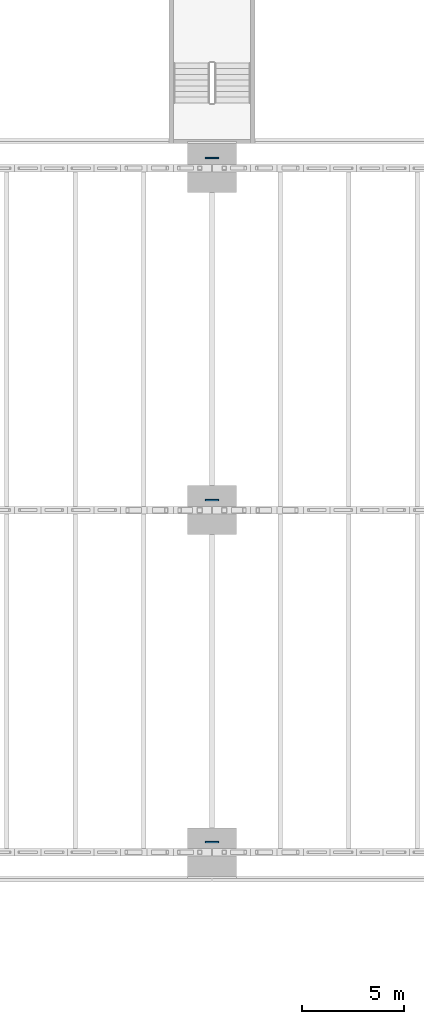
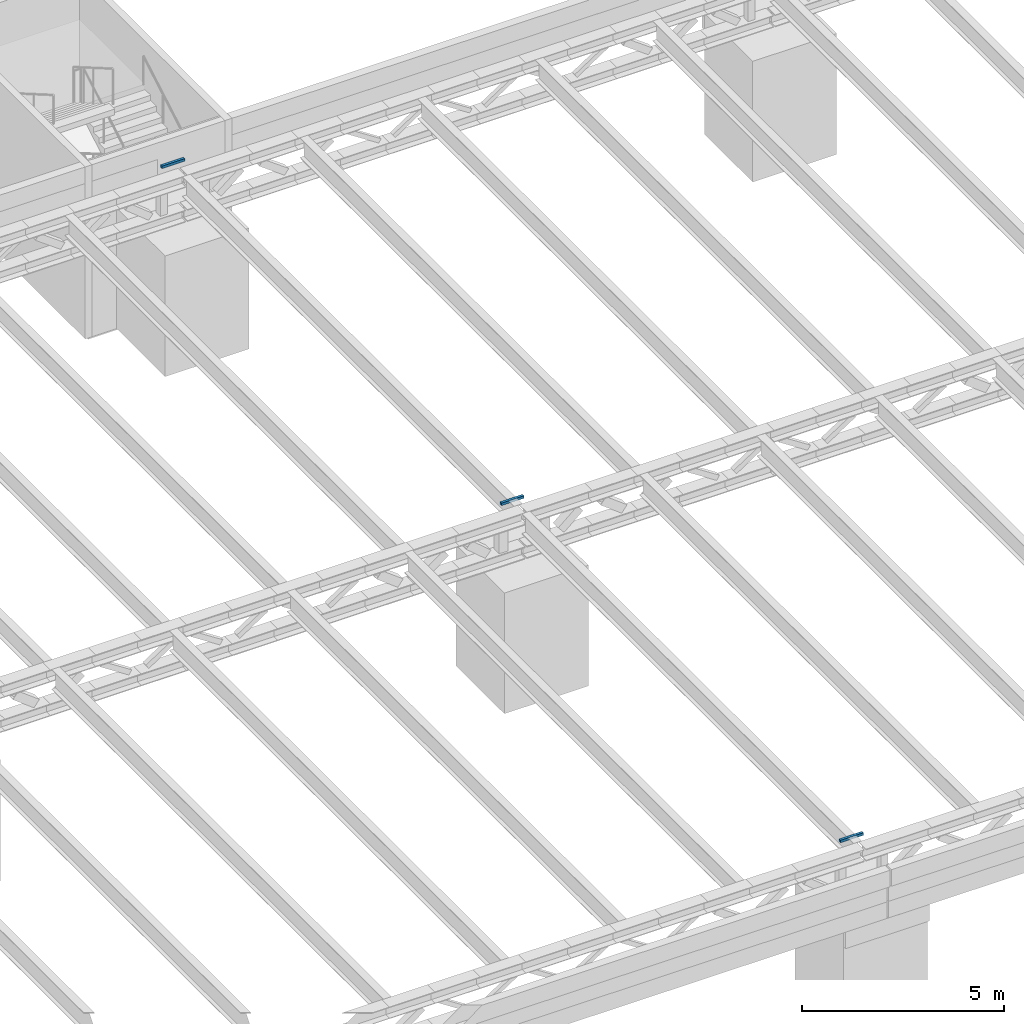
# One storey, part 61 of 93: 3 discrete accessories.
"""IFC4 building model written with IfcOpenShell, lengths in metres."""

from ifc_helpers import new_model, si_unit, direction, frame, origin, origin_2d, place, context, subcontext, project, spatial, rectangle, extrude, material, material_profile, profile_set, type_object, element, save


model = new_model("IFC4")

# Units and contexts
model_context = context("Model", 3, precision=1e-05, world=origin(), true_north=direction((0.0, 1.0)))
body_context = subcontext(model_context, "Body", "Model", "MODEL_VIEW")
ifc_project = project(units=[si_unit("LENGTHUNIT", "METRE"), si_unit("AREAUNIT", "SQUARE_METRE"), si_unit("VOLUMEUNIT", "CUBIC_METRE"), si_unit("PLANEANGLEUNIT", "RADIAN"), si_unit("MASSUNIT", "GRAM", prefix="KILO")], contexts=[model_context])

# Site, building, storey
site_placement = place(None, origin())
site = spatial("IfcSite", under=ifc_project, at=site_placement, CompositionType="ELEMENT")
building_placement = place(site_placement, origin())
building = spatial("IfcBuilding", under=site, at=building_placement, Name="Verrick Yard Athletic Hall", CompositionType="ELEMENT")
storey_placement = place(building_placement, frame((0.0, 0.0, 8.800048828125)))
storey = spatial("IfcBuildingStorey", under=building, at=storey_placement, Name="L02", CompositionType="ELEMENT", Elevation=8.800048828125)

# Discrete accessories
ifc_material = material(Name="Structural steel 350W (CSA G40.21)", Category="steel")
ifc_material_profile = material_profile(ifc_material, rectangle(XDim=0.074951171875, YDim=0.074951171875, at=origin_2d()), Name="STR Slip dowel SD1")
ifc_profile_set = profile_set([ifc_material_profile], Name="Structural steel 350W (CSA G40.21)")
discrete_accessory_type = type_object("IfcDiscreteAccessoryType", Name="STR Slip dowel SD1", PredefinedType="BRACKET", material=ifc_profile_set)
for number, where, z_axis, x_axis, name in (
    (1, (73.27490234375, 19.699951171875, 5.012451171875), (1.0, 0.0, 0.0), (0.0, 1.0, 0.0), "Slip dowel J1-1 DECK"),
    (2, (73.27490234375, 36.5, 5.012451171875), (1.0, 0.0, 0.0), (0.0, 1.0, 0.0), "Slip dowel J1-2 DECK"),
    (3, (73.27490234375, 53.300048828125, 5.012451171875), (1.0, 0.0, 0.0), (0.0, 1.0, 0.0), "Slip dowel J1-3 DECK"),
):
    element("IfcDiscreteAccessory", number, at=place(storey_placement, frame(where, z_axis=z_axis, x_axis=x_axis)), inside=storey, type_object=discrete_accessory_type, Name=name, PredefinedType="BRACKET", context=body_context, shape_type="SweptSolid", body=[
        extrude(rectangle(XDim=0.074951171875, YDim=0.074951171875, at=origin_2d()), origin(), (0.0, 0.0, 1.0), 0.650146484375),
    ])

save(model, "model.ifc")
